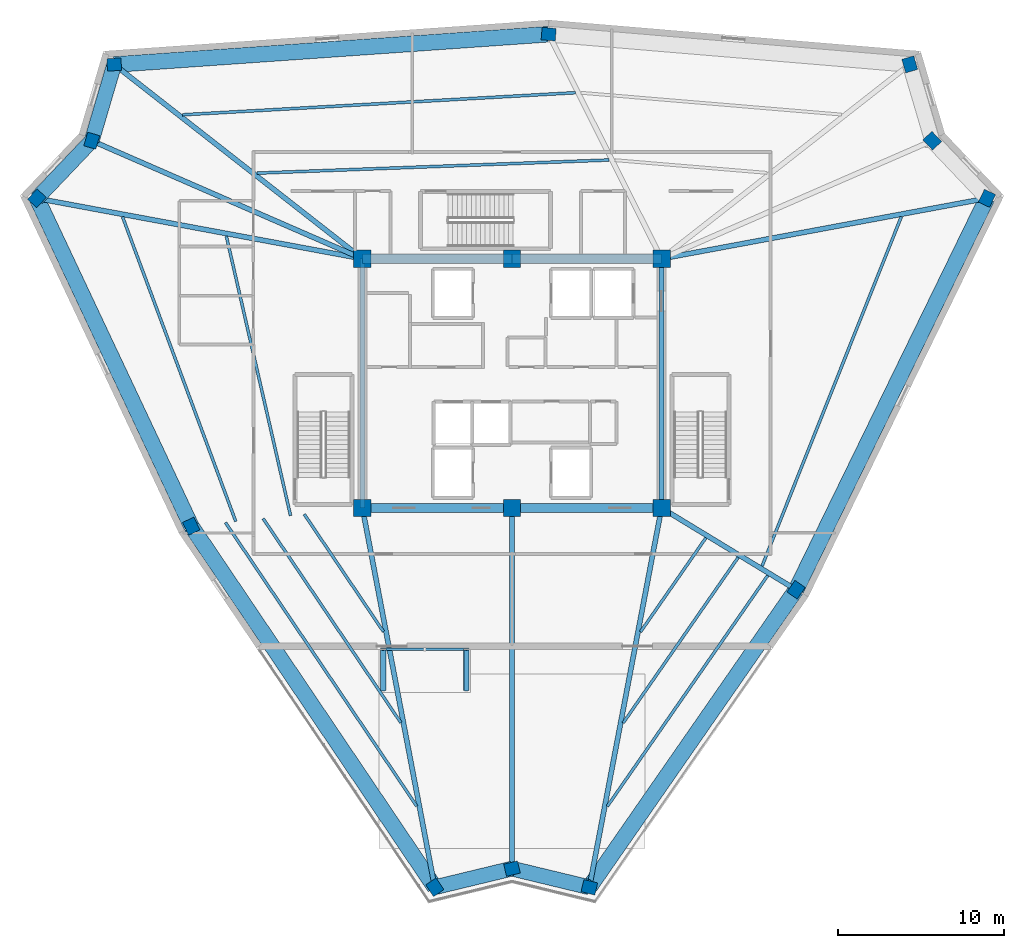
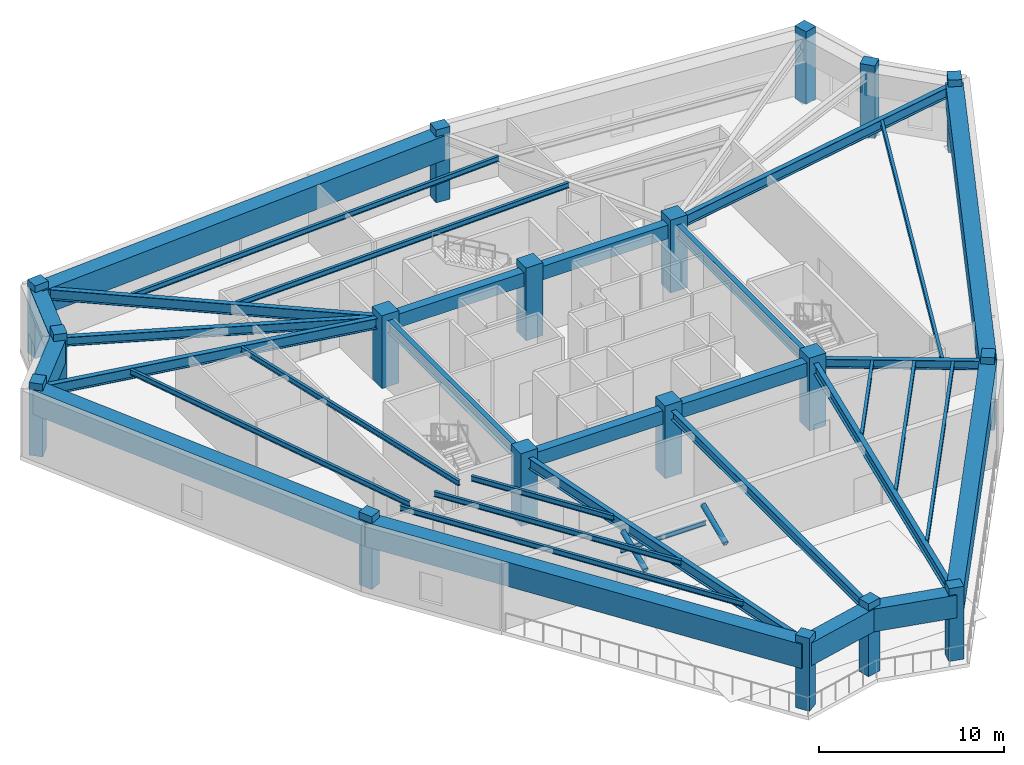
# One storey, part 1 of 12: 35 beams, 18 columns, 2 members.
"""IFC4 building model written with IfcOpenShell, lengths in metres."""

from ifc_helpers import new_model, si_unit, direction, frame, origin, origin_2d, place, context, subcontext, project, spatial, rectangle, hollow_circle, i_section, extrude, source, transform, mapped, material, material_profile, profile_set, type_object, element, save


model = new_model("IFC4")

# Units and contexts
model_context = context("Model", 3, precision=1e-05, world=origin(), true_north=direction((0.0, 1.0)))
body_context = subcontext(model_context, "Body", "Model", "MODEL_VIEW")
ifc_project = project(units=[si_unit("LENGTHUNIT", "METRE"), si_unit("AREAUNIT", "SQUARE_METRE"), si_unit("VOLUMEUNIT", "CUBIC_METRE"), si_unit("PLANEANGLEUNIT", "RADIAN"), si_unit("MASSUNIT", "GRAM", prefix="KILO")], contexts=[model_context])

# Site, building, storey
site_placement = place(None, origin())
site = spatial("IfcSite", under=ifc_project, at=site_placement, CompositionType="ELEMENT")
building_placement = place(site_placement, origin())
building = spatial("IfcBuilding", under=site, at=building_placement, Name="Liaohun Quay Tower", CompositionType="ELEMENT")
storey_placement = place(building_placement, frame((0.0, 0.0, 355.800048828125)))
storey = spatial("IfcBuildingStorey", under=building, at=storey_placement, Name="L92", CompositionType="ELEMENT", Elevation=355.800048828125)

# Columns
ifc_material_1 = material(Name="Concrete C50", Category="concrete")
ifc_material_profile_1 = material_profile(ifc_material_1, rectangle(XDim=1.050048828125, YDim=1.050048828125, at=origin_2d()), Name="RC1050x1050")
ifc_profile_set_1 = profile_set([ifc_material_profile_1], Name="Concrete C50")
column_type_1 = type_object("IfcColumnType", Name="COL-CC-CR", PredefinedType="COLUMN", material=ifc_profile_set_1)
shared_shape_1 = source(origin(), body_context, "Body", "SweptSolid", [
    extrude(rectangle(XDim=1.050048828125, YDim=1.050048828125, at=origin_2d()), origin(), (0.0, 0.0, 1.0), 4.800048828125),
])
for number, where, z_axis, x_axis, name in (
    (1, (51.0, 46.5, 0.0), (0.0, 0.0, 1.0), (1.0, 0.0, 0.0), "L92 Core Column CC1"),
    (2, (60.0, 46.5, 0.0), (0.0, 0.0, 1.0), (1.0, 0.0, 0.0), "L92 Core Column CC2"),
    (3, (69.0, 46.5, 0.0), (0.0, 0.0, 1.0), (1.0, 0.0, 0.0), "L92 Core Column CC3"),
    (4, (69.0, 61.5, 0.0), (0.0, 0.0, 1.0), (1.0, 0.0, 0.0), "L92 Core Column CC4"),
    (5, (60.0, 61.5, 0.0), (0.0, 0.0, 1.0), (1.0, 0.0, 0.0), "L92 Core Column CC5"),
    (6, (51.0, 61.5, 0.0), (0.0, 0.0, 1.0), (1.0, 0.0, 0.0), "L92 Core Column CC6"),
):
    element("IfcColumn", number, at=place(storey_placement, frame(where, z_axis=z_axis, x_axis=x_axis)), inside=storey, type_object=column_type_1, Name=name, PredefinedType="COLUMN", context=body_context, shape_type="MappedRepresentation", body=[
        mapped(shared_shape_1, transform((0.0, 0.0, 0.0), x_axis=(1.0, 0.0, 0.0), y_axis=(0.0, 1.0, 0.0), z_axis=(0.0, 0.0, 1.0), scale=1.0)),
    ])
ifc_material_profile_2 = material_profile(ifc_material_1, rectangle(XDim=0.85009765625, YDim=0.75, at=origin_2d()), Name="RC850x750")
ifc_profile_set_2 = profile_set([ifc_material_profile_2], Name="Concrete C50")
column_type_2 = type_object("IfcColumnType", Name="COL-PIER-CR", PredefinedType="COLUMN", material=ifc_profile_set_2)
shared_shape_2 = source(origin(), body_context, "Body", "SweptSolid", [
    extrude(rectangle(XDim=0.85009765625, YDim=0.75, at=origin_2d()), origin(), (0.0, 0.0, 1.0), 4.800048828125),
])
for number, where, z_axis, x_axis, name in (
    (7, (55.35400390625, 23.677978515625, 0.0), (0.0, 0.0, 1.0), (-0.559192903471, 0.829037572555, 0.0), "L92 Perimeter Pier PC01"),
    (8, (40.698974609375, 45.405029296875, 0.0), (0.0, 0.0, 1.0), (-0.425937207192, 0.90475272618, 0.0), "L92 Perimeter Pier PC02"),
    (9, (31.410888671875, 65.131103515625, 0.0), (0.0, 0.0, 1.0), (0.68936671806, 0.724412539946, 0.0), "L92 Perimeter Pier PC03"),
    (10, (34.7119140625, 68.60009765625, 0.0), (0.0, 0.0, 1.0), (0.282676303383, 0.959215360337, 0.0), "L92 Perimeter Pier PC04"),
    (11, (36.06298828125, 73.18505859375, 0.0), (0.0, 0.0, 1.0), (0.99756405026, 0.069756473744, 0.0), "L92 Perimeter Pier PC05"),
    (12, (62.20703125, 75.012939453125, 0.0), (0.0, 0.0, 1.0), (-0.996507448611, 0.083503921245, 0.0), "L92 Perimeter Pier PC06"),
    (13, (83.93408203125, 73.194091796875, 0.0), (0.0, 0.0, 1.0), (-0.282676303383, 0.959215360337, 0.0), "L92 Perimeter Pier PC07"),
    (14, (85.2880859375, 68.60009765625, 0.0), (0.0, 0.0, 1.0), (-0.68936671806, 0.724412539946, 0.0), "L92 Perimeter Pier PC08"),
    (15, (88.5830078125, 65.136962890625, 0.0), (0.0, 0.0, 1.0), (0.438371146789, 0.898794046299, 0.0), "L92 Perimeter Pier PC09"),
    (16, (77.094970703125, 41.58203125, 0.0), (0.0, 0.0, 1.0), (0.570570241419, 0.821248804935, 0.0), "L92 Perimeter Pier PC10"),
    (17, (64.655029296875, 23.676025390625, 0.0), (0.0, 0.0, 1.0), (-0.972083987461, 0.234633163303, 0.0), "L92 Perimeter Pier PC11"),
    (18, (60.0, 24.799072265625, 0.0), (0.0, 0.0, 1.0), (0.972083987461, 0.234633163303, 0.0), "L92 Perimeter Pier PC12"),
):
    element("IfcColumn", number, at=place(storey_placement, frame(where, z_axis=z_axis, x_axis=x_axis)), inside=storey, type_object=column_type_2, Name=name, PredefinedType="COLUMN", context=body_context, shape_type="MappedRepresentation", body=[
        mapped(shared_shape_2, transform((0.0, 0.0, 0.0), x_axis=(1.0, 0.0, 0.0), y_axis=(0.0, 1.0, 0.0), z_axis=(0.0, 0.0, 1.0), scale=1.0)),
    ])

# Beams
ifc_material_2 = material(Name="Steel Q355D", Category="steel")
ifc_material_profile_3 = material_profile(ifc_material_2, i_section(OverallWidth=0.300048828125, OverallDepth=0.800048828125, WebThickness=0.013916015625, FlangeThickness=0.02587890625, at=origin_2d()), Name="HN800x300x14x26")
ifc_profile_set_3 = profile_set([ifc_material_profile_3], Name="Steel Q355D")
beam_type_1 = type_object("IfcBeamType", Name="BM-RAD-M1", PredefinedType="BEAM", material=ifc_profile_set_3)
shared_shape_3 = source(origin(), body_context, "Body", "SweptSolid", [
    extrude(i_section(OverallWidth=0.300048828125, OverallDepth=0.800048828125, WebThickness=0.013916015625, FlangeThickness=0.02587890625, at=origin_2d()), origin(), (0.0, 0.0, 1.0), 15.0),
])
for number, where, z_axis, x_axis, name in (
    (19, (69.0, 46.5, 3.949951171875), (0.0, 1.0, 0.0), (-1.0, 0.0, 0.0), "L92 Core Coupling/Ring Beam CC3-CC4"),
    (20, (51.0, 61.5, 3.949951171875), (0.0, -1.0, 0.0), (1.0, 0.0, 0.0), "L92 Core Coupling/Ring Beam CC6-CC1"),
):
    element("IfcBeam", number, at=place(storey_placement, frame(where, z_axis=z_axis, x_axis=x_axis)), inside=storey, type_object=beam_type_1, Name=name, PredefinedType="BEAM", context=body_context, shape_type="MappedRepresentation", body=[
        mapped(shared_shape_3, transform((0.0, 0.0, 0.0), x_axis=(1.0, 0.0, 0.0), y_axis=(0.0, 1.0, 0.0), z_axis=(0.0, 0.0, 1.0), scale=1.0)),
    ])
ifc_material_3 = material(Name="Concrete C55", Category="concrete")
ifc_material_profile_4 = material_profile(ifc_material_3, rectangle(XDim=0.550048828125, YDim=0.89990234375, at=origin_2d()), Name="RC550x900")
ifc_profile_set_4 = profile_set([ifc_material_profile_4], Name="Concrete C55")
beam_type_2 = type_object("IfcBeamType", Name="BM-CPL-2", PredefinedType="LINTEL", material=ifc_profile_set_4)
shared_shape_4 = source(origin(), body_context, "Body", "SweptSolid", [
    extrude(rectangle(XDim=0.550048828125, YDim=0.89990234375, at=origin_2d()), origin(), (0.0, 0.0, 1.0), 9.0),
])
for number, where, z_axis, x_axis, name in (
    (21, (51.0, 46.5, 3.89990234375), (1.0, 0.0, 0.0), (0.0, 1.0, 0.0), "L92 Core Coupling/Ring Beam CC1-CC2"),
    (22, (60.0, 46.5, 3.89990234375), (1.0, 0.0, 0.0), (0.0, 1.0, 0.0), "L92 Core Coupling/Ring Beam CC2-CC3"),
    (23, (69.0, 61.5, 3.89990234375), (-1.0, 0.0, 0.0), (0.0, -1.0, 0.0), "L92 Core Coupling/Ring Beam CC4-CC5"),
    (24, (60.0, 61.5, 3.89990234375), (-1.0, 0.0, 0.0), (0.0, -1.0, 0.0), "L92 Core Coupling/Ring Beam CC5-CC6"),
):
    element("IfcBeam", number, at=place(storey_placement, frame(where, z_axis=z_axis, x_axis=x_axis)), inside=storey, type_object=beam_type_2, Name=name, PredefinedType="LINTEL", context=body_context, shape_type="MappedRepresentation", body=[
        mapped(shared_shape_4, transform((0.0, 0.0, 0.0), x_axis=(1.0, 0.0, 0.0), y_axis=(0.0, 1.0, 0.0), z_axis=(0.0, 0.0, 1.0), scale=1.0)),
    ])
ifc_material_profile_5 = material_profile(ifc_material_3, rectangle(XDim=0.949951171875, YDim=1.60009765625, at=origin_2d()), Name="RC950x1600")
ifc_profile_set_5 = profile_set([ifc_material_profile_5], Name="Concrete C55")
beam_type_3 = type_object("IfcBeamType", Name="BM-CAN-LNG", PredefinedType="SPANDREL", material=ifc_profile_set_5)
shared_shape_5 = source(origin(), body_context, "Body", "SweptSolid", [
    extrude(rectangle(XDim=0.949951171875, YDim=1.60009765625, at=origin_2d()), origin(), (0.0, 0.0, 1.0), 26.20751953125),
])
beam_1_placement = place(storey_placement, frame((55.35400390625, 23.677978515625, 3.550048828125), z_axis=(-0.559191552836, 0.829038483568, 0.0), x_axis=(-0.829038483568, -0.559191552836, 0.0)))
element("IfcBeam", 25, at=beam_1_placement, inside=storey, type_object=beam_type_3, Name="L92 Precast Spandrel Beam PC01-PC02", PredefinedType="SPANDREL", context=body_context, shape_type="MappedRepresentation", body=[
    mapped(shared_shape_5, transform((0.0, 0.0, 0.0), x_axis=(1.0, 0.0, 0.0), y_axis=(0.0, 1.0, 0.0), z_axis=(0.0, 0.0, 1.0), scale=1.0)),
])
shared_shape_6 = source(origin(), body_context, "Body", "SweptSolid", [
    extrude(rectangle(XDim=0.949951171875, YDim=1.60009765625, at=origin_2d()), origin(), (0.0, 0.0, 1.0), 21.803466796875),
])
beam_2_placement = place(storey_placement, frame((40.698974609375, 45.405029296875, 3.550048828125), z_axis=(-0.425993313614, 0.904726310414, 0.0), x_axis=(-0.904726310414, -0.425993313614, 0.0)))
element("IfcBeam", 26, at=beam_2_placement, inside=storey, type_object=beam_type_3, Name="L92 Precast Spandrel Beam PC02-PC03", PredefinedType="SPANDREL", context=body_context, shape_type="MappedRepresentation", body=[
    mapped(shared_shape_6, transform((0.0, 0.0, 0.0), x_axis=(1.0, 0.0, 0.0), y_axis=(0.0, 1.0, 0.0), z_axis=(0.0, 0.0, 1.0), scale=1.0)),
])
ifc_material_profile_6 = material_profile(ifc_material_3, rectangle(XDim=0.89990234375, YDim=1.5, at=origin_2d()), Name="RC900x1500")
ifc_profile_set_6 = profile_set([ifc_material_profile_6], Name="Concrete C55")
beam_type_4 = type_object("IfcBeamType", Name="BM-CAN-RING", PredefinedType="BEAM", material=ifc_profile_set_6)
shared_shape_7 = source(origin(), body_context, "Body", "SweptSolid", [
    extrude(rectangle(XDim=0.89990234375, YDim=1.5, at=origin_2d()), origin(), (0.0, 0.0, 1.0), 4.78857421875),
])
for number, where, z_axis, x_axis, name in (
    (27, (31.410888671875, 65.131103515625, 3.599853515625), (0.689350846043, 0.724427643771, 0.0), (-0.724427643771, 0.689350846043, 0.0), "L92 Precast Spandrel Beam PC03-PC04"),
    (28, (64.655029296875, 23.676025390625, 3.599853515625), (-0.972109870601, 0.234525903643, 0.0), (-0.234525903643, -0.972109870601, 0.0), "L92 Precast Spandrel Beam PC11-PC12"),
):
    element("IfcBeam", number, at=place(storey_placement, frame(where, z_axis=z_axis, x_axis=x_axis)), inside=storey, type_object=beam_type_4, Name=name, PredefinedType="BEAM", context=body_context, shape_type="MappedRepresentation", body=[
        mapped(shared_shape_7, transform((0.0, 0.0, 0.0), x_axis=(1.0, 0.0, 0.0), y_axis=(0.0, 1.0, 0.0), z_axis=(0.0, 0.0, 1.0), scale=1.0)),
    ])
shared_shape_8 = source(origin(), body_context, "Body", "SweptSolid", [
    extrude(rectangle(XDim=0.89990234375, YDim=1.5, at=origin_2d()), origin(), (0.0, 0.0, 1.0), 4.77978515625),
])
beam_3_placement = place(storey_placement, frame((34.7119140625, 68.60009765625, 3.599853515625), z_axis=(0.282658510174, 0.959220603733, 0.0), x_axis=(-0.959220603733, 0.282658510174, 0.0)))
element("IfcBeam", 29, at=beam_3_placement, inside=storey, type_object=beam_type_4, Name="L92 Precast Spandrel Beam PC04-PC05", PredefinedType="BEAM", context=body_context, shape_type="MappedRepresentation", body=[
    mapped(shared_shape_8, transform((0.0, 0.0, 0.0), x_axis=(1.0, 0.0, 0.0), y_axis=(0.0, 1.0, 0.0), z_axis=(0.0, 0.0, 1.0), scale=1.0)),
])
shared_shape_9 = source(origin(), body_context, "Body", "SweptSolid", [
    extrude(rectangle(XDim=0.949951171875, YDim=1.60009765625, at=origin_2d()), origin(), (0.0, 0.0, 1.0), 26.207763671875),
])
beam_4_placement = place(storey_placement, frame((36.06298828125, 73.18505859375, 3.550048828125), z_axis=(0.997564816794, 0.069745510929, 0.0), x_axis=(-0.069745510929, 0.997564816794, 0.0)))
element("IfcBeam", 30, at=beam_4_placement, inside=storey, type_object=beam_type_3, Name="L92 Precast Spandrel Beam PC05-PC06", PredefinedType="SPANDREL", context=body_context, shape_type="MappedRepresentation", body=[
    mapped(shared_shape_9, transform((0.0, 0.0, 0.0), x_axis=(1.0, 0.0, 0.0), y_axis=(0.0, 1.0, 0.0), z_axis=(0.0, 0.0, 1.0), scale=1.0)),
])
shared_shape_10 = source(origin(), body_context, "Body", "SweptSolid", [
    extrude(rectangle(XDim=0.949951171875, YDim=1.60009765625, at=origin_2d()), origin(), (0.0, 0.0, 1.0), 26.20703125),
])
beam_5_placement = place(storey_placement, frame((88.5830078125, 65.136962890625, 3.550048828125), z_axis=(-0.438356638262, -0.898801122435, 0.0), x_axis=(0.898801122435, -0.438356638262, 0.0)))
element("IfcBeam", 31, at=beam_5_placement, inside=storey, type_object=beam_type_3, Name="L92 Precast Spandrel Beam PC09-PC10", PredefinedType="SPANDREL", context=body_context, shape_type="MappedRepresentation", body=[
    mapped(shared_shape_10, transform((0.0, 0.0, 0.0), x_axis=(1.0, 0.0, 0.0), y_axis=(0.0, 1.0, 0.0), z_axis=(0.0, 0.0, 1.0), scale=1.0)),
])
shared_shape_11 = source(origin(), body_context, "Body", "SweptSolid", [
    extrude(rectangle(XDim=0.949951171875, YDim=1.60009765625, at=origin_2d()), origin(), (0.0, 0.0, 1.0), 21.80322265625),
])
beam_6_placement = place(storey_placement, frame((77.094970703125, 41.58203125, 3.550048828125), z_axis=(-0.570557168324, -0.821257887435, 0.0), x_axis=(0.821257887435, -0.570557168324, 0.0)))
element("IfcBeam", 32, at=beam_6_placement, inside=storey, type_object=beam_type_3, Name="L92 Precast Spandrel Beam PC10-PC11", PredefinedType="SPANDREL", context=body_context, shape_type="MappedRepresentation", body=[
    mapped(shared_shape_11, transform((0.0, 0.0, 0.0), x_axis=(1.0, 0.0, 0.0), y_axis=(0.0, 1.0, 0.0), z_axis=(0.0, 0.0, 1.0), scale=1.0)),
])
shared_shape_12 = source(origin(), body_context, "Body", "SweptSolid", [
    extrude(rectangle(XDim=0.89990234375, YDim=1.5, at=origin_2d()), origin(), (0.0, 0.0, 1.0), 4.779296875),
])
beam_7_placement = place(storey_placement, frame((60.0, 24.799072265625, 3.599853515625), z_axis=(-0.972099080488, -0.234570624151, 0.0), x_axis=(0.234570624151, -0.972099080488, 0.0)))
element("IfcBeam", 33, at=beam_7_placement, inside=storey, type_object=beam_type_4, Name="L92 Precast Spandrel Beam PC12-PC01", PredefinedType="BEAM", context=body_context, shape_type="MappedRepresentation", body=[
    mapped(shared_shape_12, transform((0.0, 0.0, 0.0), x_axis=(1.0, 0.0, 0.0), y_axis=(0.0, 1.0, 0.0), z_axis=(0.0, 0.0, 1.0), scale=1.0)),
])
ifc_material_profile_7 = material_profile(ifc_material_2, i_section(OverallWidth=0.300048828125, OverallDepth=0.699951171875, WebThickness=0.012939453125, FlangeThickness=0.02392578125, at=origin_2d()), Name="HN700x300x13x24")
ifc_profile_set_7 = profile_set([ifc_material_profile_7], Name="Steel Q355D")
beam_type_5 = type_object("IfcBeamType", Name="BM-RAD-U1", PredefinedType="BEAM", material=ifc_profile_set_7)
shared_shape_13 = source(origin(), body_context, "Body", "SweptSolid", [
    extrude(i_section(OverallWidth=0.300048828125, OverallDepth=0.699951171875, WebThickness=0.012939453125, FlangeThickness=0.02392578125, at=origin_2d()), origin(), (0.0, 0.0, 1.0), 23.233642578125),
])
beam_8_placement = place(storey_placement, frame((51.0, 46.5, 4.0), z_axis=(0.187400853189, -0.982283523339, 0.0), x_axis=(0.982283523339, 0.187400853189, 0.0)))
element("IfcBeam", 34, at=beam_8_placement, inside=storey, type_object=beam_type_5, Name="L92 Radial Primary Girder CC1-PC01", PredefinedType="BEAM", context=body_context, shape_type="MappedRepresentation", body=[
    mapped(shared_shape_13, transform((0.0, 0.0, 0.0), x_axis=(1.0, 0.0, 0.0), y_axis=(0.0, 1.0, 0.0), z_axis=(0.0, 0.0, 1.0), scale=1.0)),
])
shared_shape_14 = source(origin(), body_context, "Body", "SweptSolid", [
    extrude(i_section(OverallWidth=0.300048828125, OverallDepth=0.699951171875, WebThickness=0.012939453125, FlangeThickness=0.02392578125, at=origin_2d()), origin(), (0.0, 0.0, 1.0), 19.9228515625),
])
beam_9_placement = place(storey_placement, frame((51.0, 61.5, 4.0), z_axis=(-0.983250623213, 0.182258640266, 0.0), x_axis=(-0.182258640266, -0.983250623213, 0.0)))
element("IfcBeam", 35, at=beam_9_placement, inside=storey, type_object=beam_type_5, Name="L92 Radial Primary Girder CC6-PC03", PredefinedType="BEAM", context=body_context, shape_type="MappedRepresentation", body=[
    mapped(shared_shape_14, transform((0.0, 0.0, 0.0), x_axis=(1.0, 0.0, 0.0), y_axis=(0.0, 1.0, 0.0), z_axis=(0.0, 0.0, 1.0), scale=1.0)),
])
ifc_material_profile_8 = material_profile(ifc_material_2, i_section(OverallWidth=0.300048828125, OverallDepth=0.587890625, WebThickness=0.011962890625, FlangeThickness=0.02001953125, at=origin_2d()), Name="HM588x300x12x20")
ifc_profile_set_8 = profile_set([ifc_material_profile_8], Name="Steel Q355D")
beam_type_6 = type_object("IfcBeamType", Name="BM-RAD-U2", PredefinedType="BEAM", material=ifc_profile_set_8)
shared_shape_15 = source(origin(), body_context, "Body", "SweptSolid", [
    extrude(i_section(OverallWidth=0.300048828125, OverallDepth=0.587890625, WebThickness=0.011962890625, FlangeThickness=0.02001953125, at=origin_2d()), origin(), (0.0, 0.0, 1.0), 17.768310546875),
])
beam_10_placement = place(storey_placement, frame((51.0, 61.5, 4.055908203125), z_axis=(-0.916692609329, 0.39959311806, 0.0), x_axis=(-0.39959311806, -0.916692609329, 0.0)))
element("IfcBeam", 36, at=beam_10_placement, inside=storey, type_object=beam_type_6, Name="L92 Radial Primary Girder CC6-PC04", PredefinedType="BEAM", context=body_context, shape_type="MappedRepresentation", body=[
    mapped(shared_shape_15, transform((0.0, 0.0, 0.0), x_axis=(1.0, 0.0, 0.0), y_axis=(0.0, 1.0, 0.0), z_axis=(0.0, 0.0, 1.0), scale=1.0)),
])
shared_shape_16 = source(origin(), body_context, "Body", "SweptSolid", [
    extrude(i_section(OverallWidth=0.300048828125, OverallDepth=0.699951171875, WebThickness=0.012939453125, FlangeThickness=0.02392578125, at=origin_2d()), origin(), (0.0, 0.0, 1.0), 18.964599609375),
])
beam_11_placement = place(storey_placement, frame((51.0, 61.5, 4.0), z_axis=(-0.787627231061, 0.616152046894, 0.0), x_axis=(-0.616152046894, -0.787627231061, 0.0)))
element("IfcBeam", 37, at=beam_11_placement, inside=storey, type_object=beam_type_5, Name="L92 Radial Primary Girder CC6-PC05", PredefinedType="BEAM", context=body_context, shape_type="MappedRepresentation", body=[
    mapped(shared_shape_16, transform((0.0, 0.0, 0.0), x_axis=(1.0, 0.0, 0.0), y_axis=(0.0, 1.0, 0.0), z_axis=(0.0, 0.0, 1.0), scale=1.0)),
])
shared_shape_17 = source(origin(), body_context, "Body", "SweptSolid", [
    extrude(i_section(OverallWidth=0.300048828125, OverallDepth=0.699951171875, WebThickness=0.012939453125, FlangeThickness=0.02392578125, at=origin_2d()), origin(), (0.0, 0.0, 1.0), 19.91796875),
])
beam_12_placement = place(storey_placement, frame((69.0, 61.5, 4.0), z_axis=(0.983187667258, 0.182597948925, 0.0), x_axis=(-0.182597948925, 0.983187667258, 0.0)))
element("IfcBeam", 38, at=beam_12_placement, inside=storey, type_object=beam_type_5, Name="L92 Radial Primary Girder CC4-PC09", PredefinedType="BEAM", context=body_context, shape_type="MappedRepresentation", body=[
    mapped(shared_shape_17, transform((0.0, 0.0, 0.0), x_axis=(1.0, 0.0, 0.0), y_axis=(0.0, 1.0, 0.0), z_axis=(0.0, 0.0, 1.0), scale=1.0)),
])
shared_shape_18 = source(origin(), body_context, "Body", "SweptSolid", [
    extrude(i_section(OverallWidth=0.300048828125, OverallDepth=0.587890625, WebThickness=0.011962890625, FlangeThickness=0.02001953125, at=origin_2d()), origin(), (0.0, 0.0, 1.0), 9.4716796875),
])
beam_13_placement = place(storey_placement, frame((69.0, 46.5, 4.055908203125), z_axis=(0.854639241028, -0.519222271956, 0.0), x_axis=(0.519222271956, 0.854639241028, 0.0)))
element("IfcBeam", 39, at=beam_13_placement, inside=storey, type_object=beam_type_6, Name="L92 Radial Primary Girder CC3-PC10", PredefinedType="BEAM", context=body_context, shape_type="MappedRepresentation", body=[
    mapped(shared_shape_18, transform((0.0, 0.0, 0.0), x_axis=(1.0, 0.0, 0.0), y_axis=(0.0, 1.0, 0.0), z_axis=(0.0, 0.0, 1.0), scale=1.0)),
])
shared_shape_19 = source(origin(), body_context, "Body", "SweptSolid", [
    extrude(i_section(OverallWidth=0.300048828125, OverallDepth=0.699951171875, WebThickness=0.012939453125, FlangeThickness=0.02392578125, at=origin_2d()), origin(), (0.0, 0.0, 1.0), 23.23388671875),
])
beam_14_placement = place(storey_placement, frame((69.0, 46.5, 4.0), z_axis=(-0.187010223327, -0.982357967531, 0.0), x_axis=(0.982357967531, -0.187010223327, 0.0)))
element("IfcBeam", 40, at=beam_14_placement, inside=storey, type_object=beam_type_5, Name="L92 Radial Primary Girder CC3-PC11", PredefinedType="BEAM", context=body_context, shape_type="MappedRepresentation", body=[
    mapped(shared_shape_19, transform((0.0, 0.0, 0.0), x_axis=(1.0, 0.0, 0.0), y_axis=(0.0, 1.0, 0.0), z_axis=(0.0, 0.0, 1.0), scale=1.0)),
])
ifc_material_profile_9 = material_profile(ifc_material_2, i_section(OverallWidth=0.175048828125, OverallDepth=0.35009765625, WebThickness=0.007080078125, FlangeThickness=0.010986328125, at=origin_2d()), Name="HN350x175x7x11")
ifc_profile_set_9 = profile_set([ifc_material_profile_9], Name="Steel Q355D")
beam_type_7 = type_object("IfcBeamType", Name="BM-SEC-J3", PredefinedType="JOIST", material=ifc_profile_set_9)
shared_shape_20 = source(origin(), body_context, "Body", "SweptSolid", [
    extrude(i_section(OverallWidth=0.175048828125, OverallDepth=0.35009765625, WebThickness=0.007080078125, FlangeThickness=0.010986328125, at=origin_2d()), origin(), (0.0, 0.0, 1.0), 8.52978515625),
])
beam_15_placement = place(storey_placement, frame((52.26708984375, 39.055908203125, 4.175048828125), z_axis=(-0.559104607918, 0.829097121817, 0.0), x_axis=(-0.829097121817, -0.559104607918, 0.0)))
element("IfcBeam", 41, at=beam_15_placement, inside=storey, type_object=beam_type_7, Name="L92 Wing Secondary Floor Joist SJ-01", PredefinedType="JOIST", context=body_context, shape_type="MappedRepresentation", body=[
    mapped(shared_shape_20, transform((0.0, 0.0, 0.0), x_axis=(1.0, 0.0, 0.0), y_axis=(0.0, 1.0, 0.0), z_axis=(0.0, 0.0, 1.0), scale=1.0)),
])
shared_shape_21 = source(origin(), body_context, "Body", "SweptSolid", [
    extrude(i_section(OverallWidth=0.175048828125, OverallDepth=0.35009765625, WebThickness=0.007080078125, FlangeThickness=0.010986328125, at=origin_2d()), origin(), (0.0, 0.0, 1.0), 14.819580078125),
])
beam_16_placement = place(storey_placement, frame((53.31201171875, 33.5791015625, 4.175048828125), z_axis=(-0.559200918923, 0.829032166008, 0.0), x_axis=(-0.829032166008, -0.559200918923, 0.0)))
element("IfcBeam", 42, at=beam_16_placement, inside=storey, type_object=beam_type_7, Name="L92 Wing Secondary Floor Joist SJ-02", PredefinedType="JOIST", context=body_context, shape_type="MappedRepresentation", body=[
    mapped(shared_shape_21, transform((0.0, 0.0, 0.0), x_axis=(1.0, 0.0, 0.0), y_axis=(0.0, 1.0, 0.0), z_axis=(0.0, 0.0, 1.0), scale=1.0)),
])
shared_shape_22 = source(origin(), body_context, "Body", "SweptSolid", [
    extrude(i_section(OverallWidth=0.175048828125, OverallDepth=0.35009765625, WebThickness=0.007080078125, FlangeThickness=0.010986328125, at=origin_2d()), origin(), (0.0, 0.0, 1.0), 20.585205078125),
])
beam_17_placement = place(storey_placement, frame((54.27001953125, 28.55810546875, 4.175048828125), z_axis=(-0.559188873845, 0.829040290558, 0.0), x_axis=(-0.829040290558, -0.559188873845, 0.0)))
element("IfcBeam", 43, at=beam_17_placement, inside=storey, type_object=beam_type_7, Name="L92 Wing Secondary Floor Joist SJ-03", PredefinedType="JOIST", context=body_context, shape_type="MappedRepresentation", body=[
    mapped(shared_shape_22, transform((0.0, 0.0, 0.0), x_axis=(1.0, 0.0, 0.0), y_axis=(0.0, 1.0, 0.0), z_axis=(0.0, 0.0, 1.0), scale=1.0)),
])
shared_shape_23 = source(origin(), body_context, "Body", "SweptSolid", [
    extrude(i_section(OverallWidth=0.175048828125, OverallDepth=0.35009765625, WebThickness=0.007080078125, FlangeThickness=0.010986328125, at=origin_2d()), origin(), (0.0, 0.0, 1.0), 17.26416015625),
])
beam_18_placement = place(storey_placement, frame((46.674072265625, 46.0400390625, 4.175048828125), z_axis=(-0.223874094607, 0.974618073793, 0.0), x_axis=(-0.974618073793, -0.223874094607, 0.0)))
element("IfcBeam", 44, at=beam_18_placement, inside=storey, type_object=beam_type_7, Name="L92 Wing Secondary Floor Joist SJ-04", PredefinedType="JOIST", context=body_context, shape_type="MappedRepresentation", body=[
    mapped(shared_shape_23, transform((0.0, 0.0, 0.0), x_axis=(1.0, 0.0, 0.0), y_axis=(0.0, 1.0, 0.0), z_axis=(0.0, 0.0, 1.0), scale=1.0)),
])
shared_shape_24 = source(origin(), body_context, "Body", "SweptSolid", [
    extrude(i_section(OverallWidth=0.175048828125, OverallDepth=0.35009765625, WebThickness=0.007080078125, FlangeThickness=0.010986328125, at=origin_2d()), origin(), (0.0, 0.0, 1.0), 19.5576171875),
])
beam_19_placement = place(storey_placement, frame((43.376953125, 45.68994140625, 4.175048828125), z_axis=(-0.348303746333, 0.937381726028, 0.0), x_axis=(-0.937381726028, -0.348303746333, 0.0)))
element("IfcBeam", 45, at=beam_19_placement, inside=storey, type_object=beam_type_7, Name="L92 Wing Secondary Floor Joist SJ-05", PredefinedType="JOIST", context=body_context, shape_type="MappedRepresentation", body=[
    mapped(shared_shape_24, transform((0.0, 0.0, 0.0), x_axis=(1.0, 0.0, 0.0), y_axis=(0.0, 1.0, 0.0), z_axis=(0.0, 0.0, 1.0), scale=1.0)),
])
shared_shape_25 = source(origin(), body_context, "Body", "SweptSolid", [
    extrude(i_section(OverallWidth=0.175048828125, OverallDepth=0.35009765625, WebThickness=0.007080078125, FlangeThickness=0.010986328125, at=origin_2d()), origin(), (0.0, 0.0, 1.0), 21.20068359375),
])
beam_20_placement = place(storey_placement, frame((44.659912109375, 66.64990234375, 4.175048828125), z_axis=(0.999305431469, 0.037264656667, 0.0), x_axis=(-0.037264656667, 0.999305431469, 0.0)))
element("IfcBeam", 46, at=beam_20_placement, inside=storey, type_object=beam_type_7, Name="L92 Wing Secondary Floor Joist SJ-06", PredefinedType="JOIST", context=body_context, shape_type="MappedRepresentation", body=[
    mapped(shared_shape_25, transform((0.0, 0.0, 0.0), x_axis=(1.0, 0.0, 0.0), y_axis=(0.0, 1.0, 0.0), z_axis=(0.0, 0.0, 1.0), scale=1.0)),
])
shared_shape_26 = source(origin(), body_context, "Body", "SweptSolid", [
    extrude(i_section(OverallWidth=0.175048828125, OverallDepth=0.35009765625, WebThickness=0.007080078125, FlangeThickness=0.010986328125, at=origin_2d()), origin(), (0.0, 0.0, 1.0), 23.67333984375),
])
beam_21_placement = place(storey_placement, frame((40.174072265625, 70.159912109375, 4.175048828125), z_axis=(0.998420400891, 0.056184544886, 0.0), x_axis=(-0.056184544886, 0.998420400891, 0.0)))
element("IfcBeam", 47, at=beam_21_placement, inside=storey, type_object=beam_type_7, Name="L92 Wing Secondary Floor Joist SJ-07", PredefinedType="JOIST", context=body_context, shape_type="MappedRepresentation", body=[
    mapped(shared_shape_26, transform((0.0, 0.0, 0.0), x_axis=(1.0, 0.0, 0.0), y_axis=(0.0, 1.0, 0.0), z_axis=(0.0, 0.0, 1.0), scale=1.0)),
])
shared_shape_27 = source(origin(), body_context, "Body", "SweptSolid", [
    extrude(i_section(OverallWidth=0.175048828125, OverallDepth=0.35009765625, WebThickness=0.007080078125, FlangeThickness=0.010986328125, at=origin_2d()), origin(), (0.0, 0.0, 1.0), 22.63330078125),
])
beam_22_placement = place(storey_placement, frame((83.426025390625, 64.027099609375, 4.175048828125), z_axis=(-0.37020382237, -0.928950552991, 0.0), x_axis=(0.928950552991, -0.37020382237, 0.0)))
element("IfcBeam", 48, at=beam_22_placement, inside=storey, type_object=beam_type_7, Name="L92 Wing Secondary Floor Joist SJ-11", PredefinedType="JOIST", context=body_context, shape_type="MappedRepresentation", body=[
    mapped(shared_shape_27, transform((0.0, 0.0, 0.0), x_axis=(1.0, 0.0, 0.0), y_axis=(0.0, 1.0, 0.0), z_axis=(0.0, 0.0, 1.0), scale=1.0)),
])
shared_shape_28 = source(origin(), body_context, "Body", "SweptSolid", [
    extrude(i_section(OverallWidth=0.175048828125, OverallDepth=0.35009765625, WebThickness=0.007080078125, FlangeThickness=0.010986328125, at=origin_2d()), origin(), (0.0, 0.0, 1.0), 6.893798828125),
])
beam_23_placement = place(storey_placement, frame((71.6669921875, 44.7041015625, 4.175048828125), z_axis=(-0.57066390178, -0.821183725609, 0.0), x_axis=(0.821183725609, -0.57066390178, 0.0)))
element("IfcBeam", 49, at=beam_23_placement, inside=storey, type_object=beam_type_7, Name="L92 Wing Secondary Floor Joist SJ-12", PredefinedType="JOIST", context=body_context, shape_type="MappedRepresentation", body=[
    mapped(shared_shape_28, transform((0.0, 0.0, 0.0), x_axis=(1.0, 0.0, 0.0), y_axis=(0.0, 1.0, 0.0), z_axis=(0.0, 0.0, 1.0), scale=1.0)),
])
shared_shape_29 = source(origin(), body_context, "Body", "SweptSolid", [
    extrude(i_section(OverallWidth=0.175048828125, OverallDepth=0.35009765625, WebThickness=0.007080078125, FlangeThickness=0.010986328125, at=origin_2d()), origin(), (0.0, 0.0, 1.0), 12.12646484375),
])
beam_24_placement = place(storey_placement, frame((73.60888671875, 43.52392578125, 4.175048828125), z_axis=(-0.570561806474, -0.821254665127, 0.0), x_axis=(0.821254665127, -0.570561806474, 0.0)))
element("IfcBeam", 50, at=beam_24_placement, inside=storey, type_object=beam_type_7, Name="L92 Wing Secondary Floor Joist SJ-13", PredefinedType="JOIST", context=body_context, shape_type="MappedRepresentation", body=[
    mapped(shared_shape_29, transform((0.0, 0.0, 0.0), x_axis=(1.0, 0.0, 0.0), y_axis=(0.0, 1.0, 0.0), z_axis=(0.0, 0.0, 1.0), scale=1.0)),
])
shared_shape_30 = source(origin(), body_context, "Body", "SweptSolid", [
    extrude(i_section(OverallWidth=0.175048828125, OverallDepth=0.35009765625, WebThickness=0.007080078125, FlangeThickness=0.010986328125, at=origin_2d()), origin(), (0.0, 0.0, 1.0), 16.923095703125),
])
beam_25_placement = place(storey_placement, frame((75.389892578125, 42.44189453125, 4.175048828125), z_axis=(-0.570581258811, -0.82124115039, 0.0), x_axis=(0.82124115039, -0.570581258811, 0.0)))
element("IfcBeam", 51, at=beam_25_placement, inside=storey, type_object=beam_type_7, Name="L92 Wing Secondary Floor Joist SJ-14", PredefinedType="JOIST", context=body_context, shape_type="MappedRepresentation", body=[
    mapped(shared_shape_30, transform((0.0, 0.0, 0.0), x_axis=(1.0, 0.0, 0.0), y_axis=(0.0, 1.0, 0.0), z_axis=(0.0, 0.0, 1.0), scale=1.0)),
])
shared_shape_31 = source(origin(), body_context, "Body", "SweptSolid", [
    extrude(i_section(OverallWidth=0.300048828125, OverallDepth=0.587890625, WebThickness=0.011962890625, FlangeThickness=0.02001953125, at=origin_2d()), origin(), (0.0, 0.0, 1.0), 21.700927734375),
])
beam_26_placement = place(storey_placement, frame((60.0, 46.5, 4.055908203125), z_axis=(0.0, -1.0, 0.0), x_axis=(1.0, 0.0, 0.0)))
element("IfcBeam", 52, at=beam_26_placement, inside=storey, type_object=beam_type_6, Name="L92 Radial Primary Girder CC2-PC12", PredefinedType="BEAM", context=body_context, shape_type="MappedRepresentation", body=[
    mapped(shared_shape_31, transform((0.0, 0.0, 0.0), x_axis=(1.0, 0.0, 0.0), y_axis=(0.0, 1.0, 0.0), z_axis=(0.0, 0.0, 1.0), scale=1.0)),
])

# Members
ifc_material_profile_10 = material_profile(ifc_material_2, hollow_circle(Radius=0.16259765625, WallThickness=0.013916015625, at=origin_2d()), Name="CHS325x14")
ifc_profile_set_10 = profile_set([ifc_material_profile_10], Name="Steel Q355D")
member_type = type_object("IfcMemberType", Name="MEM-CAN-STR", PredefinedType="STRUT", material=ifc_profile_set_10)
shared_shape_32 = source(origin(), body_context, "Body", "SweptSolid", [
    extrude(hollow_circle(Radius=0.16259765625, WallThickness=0.013916015625, at=origin_2d()), origin(), (0.0, 0.0, 1.0), 2.66943359375),
])
for number, where, z_axis, x_axis, name in (
    (53, (52.25, 38.0, 3.89990234375), (0.0, -0.91777236799, -0.397106888073), (1.0, 0.0, 0.0), "L92 Lookout Portal Canopy Suspension Tie Strut 1"),
    (54, (57.25, 38.0, 3.89990234375), (0.0, -0.91777236799, -0.397106888073), (1.0, 0.0, 0.0), "L92 Lookout Portal Canopy Suspension Tie Strut 2"),
):
    element("IfcMember", number, at=place(storey_placement, frame(where, z_axis=z_axis, x_axis=x_axis)), inside=storey, type_object=member_type, Name=name, PredefinedType="STRUT", context=body_context, shape_type="MappedRepresentation", body=[
        mapped(shared_shape_32, transform((0.0, 0.0, 0.0), x_axis=(1.0, 0.0, 0.0), y_axis=(0.0, 1.0, 0.0), z_axis=(0.0, 0.0, 1.0), scale=1.0)),
    ])

# Beam
ifc_material_profile_11 = material_profile(ifc_material_2, i_section(OverallWidth=0.14990234375, OverallDepth=0.300048828125, WebThickness=0.006591796875, FlangeThickness=0.009033203125, at=origin_2d()), Name="HN300x150x6.5x9")
ifc_profile_set_11 = profile_set([ifc_material_profile_11], Name="Steel Q355D")
beam_type_8 = type_object("IfcBeamType", Name="BM-CAN-P1", PredefinedType="USERDEFINED", material=ifc_profile_set_11)
shared_shape_33 = source(origin(), body_context, "Body", "SweptSolid", [
    extrude(i_section(OverallWidth=0.14990234375, OverallDepth=0.300048828125, WebThickness=0.006591796875, FlangeThickness=0.009033203125, at=origin_2d()), origin(), (0.0, 0.0, 1.0), 5.2998046875),
])
beam_27_placement = place(storey_placement, frame((52.10009765625, 38.0, 2.699951171875), z_axis=(1.0, 0.0, 0.0), x_axis=(0.0, 1.0, 0.0)))
element("IfcBeam", 55, at=beam_27_placement, inside=storey, type_object=beam_type_8, Name="L92 Lookout Portal Canopy Ledger Beam", ObjectType="PURLIN", PredefinedType="USERDEFINED", context=body_context, shape_type="MappedRepresentation", body=[
    mapped(shared_shape_33, transform((0.0, 0.0, 0.0), x_axis=(1.0, 0.0, 0.0), y_axis=(0.0, 1.0, 0.0), z_axis=(0.0, 0.0, 1.0), scale=1.0)),
])

save(model, "model.ifc")
